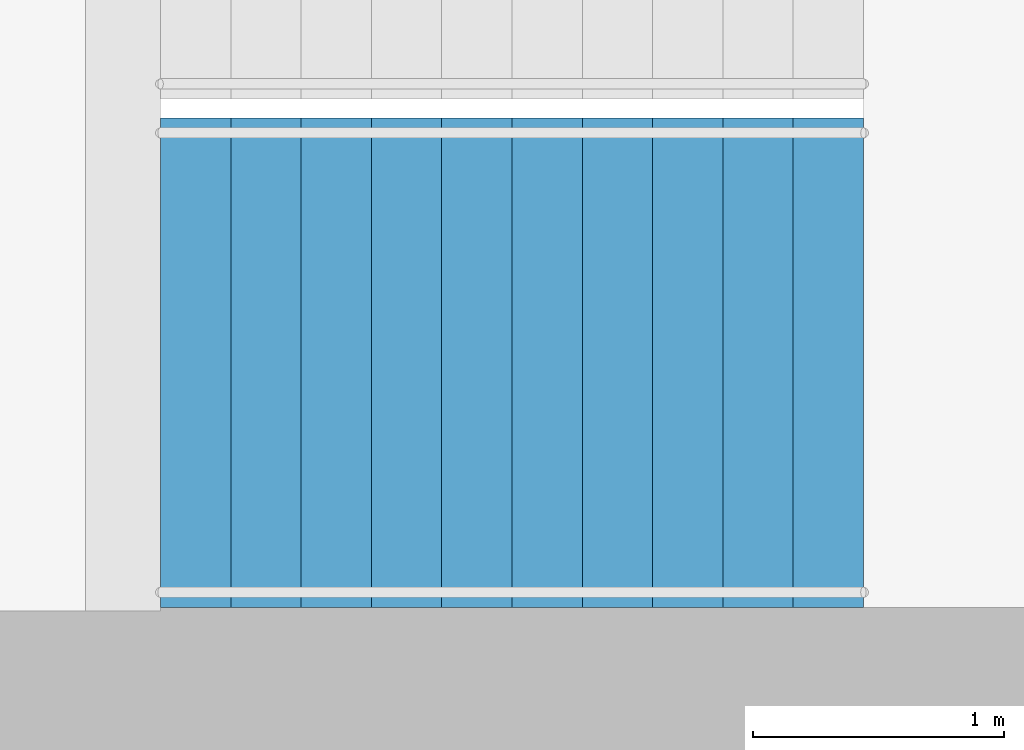
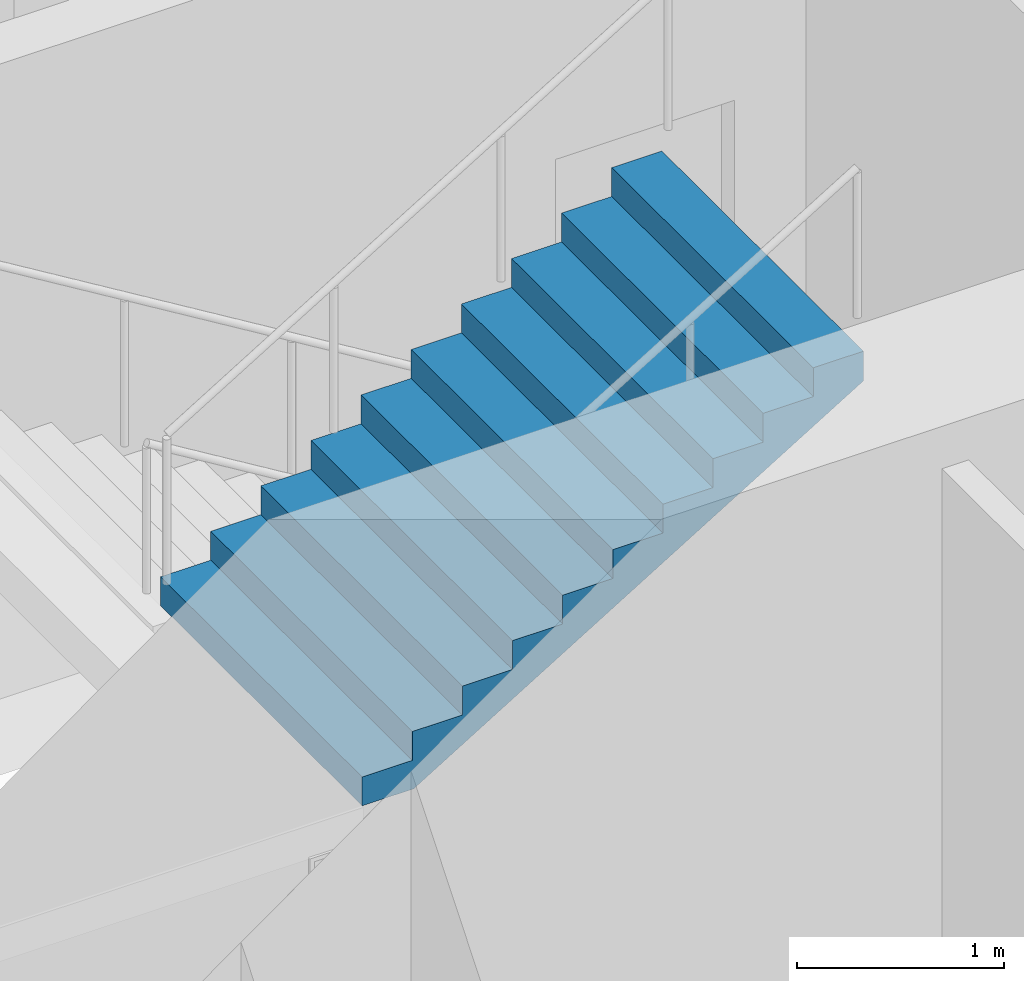
# One storey, part 22 of 25: 1 stair flight, 1 element without a shape of its own.
"""IFC4 building model written with IfcOpenShell, lengths in metres."""

from ifc_helpers import new_model, si_unit, direction, frame, origin, place, context, subcontext, project, spatial, triangles, material, type_object, element, aggregate, save


model = new_model("IFC4")

# Units and contexts
model_context = context("Model", 3, precision=1e-05, world=origin(), true_north=direction((0.0, 1.0)))
body_context = subcontext(model_context, "Body", "Model", "MODEL_VIEW")
ifc_project = project(units=[si_unit("LENGTHUNIT", "METRE"), si_unit("AREAUNIT", "SQUARE_METRE"), si_unit("VOLUMEUNIT", "CUBIC_METRE"), si_unit("PLANEANGLEUNIT", "RADIAN"), si_unit("MASSUNIT", "GRAM", prefix="KILO")], contexts=[model_context])

# Site, building, storey
site_placement = place(None, origin())
site = spatial("IfcSite", under=ifc_project, at=site_placement, CompositionType="ELEMENT")
building_placement = place(site_placement, origin())
building = spatial("IfcBuilding", under=site, at=building_placement, Name="Orbita Commons", CompositionType="ELEMENT")
storey_placement = place(building_placement, frame((0.0, 0.0, 84.39990234375)))
storey = spatial("IfcBuildingStorey", under=building, at=storey_placement, Name="L20", CompositionType="ELEMENT", Elevation=84.39990234375)

# Stair, stair flight
ifc_material_1 = material(Name="Precast concrete C40/50", Category="concrete")
stair_type = type_object("IfcStairType", Name="Exit stair S2 2 flights 11 risers 170", PredefinedType="HALF_TURN_STAIR", material=ifc_material_1)
stair_placement = place(storey_placement, origin())
stair = element("IfcStair", 1, at=stair_placement, inside=storey, type_object=stair_type, Name="Exit stair S2 L20", PredefinedType="HALF_TURN_STAIR")
ifc_material_2 = material(Name="Precast concrete C40/50", Category="concrete")
stair_flight_type = type_object("IfcStairFlightType", Name="Stair flight 11 risers 170 x 280", PredefinedType="STRAIGHT", material=ifc_material_2)
stair_flight_placement = place(storey_placement, frame((60.75, 27.25, 1.875), z_axis=(0.0, 0.0, 1.0), x_axis=(1.0, 0.0, 0.0)))
stair_flight = element("IfcStairFlight", 2, at=stair_flight_placement, type_object=stair_flight_type, Name="S2 flight 2", NumberOfRisers=11, NumberOfTreads=10, PredefinedType="STRAIGHT", RiserHeight=0.170454545, TreadLength=0.28, context=body_context, shape_type="Tessellation", body=[
    triangles([(0.0, 0.974976, 0.0), (0.0, 0.974976, 0.021307), (0.0, 0.81248, 0.021307), (0.0, 0.81248, 0.0), (0.0, 0.649984, 0.021307), (0.0, 0.649984, 0.0), (0.0, 0.487488, 0.021307), (0.0, 0.487488, 0.0), (0.0, 0.324992, 0.021307), (0.0, 0.324992, 0.0), (0.0, 0.162496, 0.021307), (0.0, 0.162496, 0.0), (0.0, 0.0, 0.021307), (0.0, 0.0, 0.0), (0.0, -0.162496, 0.021307), (0.0, -0.162496, 0.0), (0.0, -0.324992, 0.021307), (0.0, -0.324992, 0.0), (0.0, -0.487488, 0.021307), (0.0, -0.487488, 0.0), (0.0, -0.649984, 0.021307), (0.0, -0.649984, 0.0), (0.0, -0.81248, 0.021307), (0.0, -0.81248, 0.0), (0.0, -0.974976, 0.021307), (0.0, -0.974976, 0.0), (0.0, 0.974976, 0.042614), (0.0, 0.81248, 0.042614), (0.0, 0.649984, 0.042614), (0.0, 0.487488, 0.042614), (0.0, 0.324992, 0.042614), (0.0, 0.162496, 0.042614), (0.0, 0.0, 0.042614), (0.0, -0.162496, 0.042614), (0.0, -0.324992, 0.042614), (0.0, -0.487488, 0.042614), (0.0, -0.649984, 0.042614), (0.0, -0.81248, 0.042614), (0.0, -0.974976, 0.042614), (0.0, 0.974976, 0.06392), (0.0, 0.81248, 0.06392), (0.0, 0.649984, 0.06392), (0.0, 0.487488, 0.06392), (0.0, 0.324992, 0.06392), (0.0, 0.162496, 0.06392), (0.0, 0.0, 0.06392), (0.0, -0.162496, 0.06392), (0.0, -0.324992, 0.06392), (0.0, -0.487488, 0.06392), (0.0, -0.649984, 0.06392), (0.0, -0.81248, 0.06392), (0.0, -0.974976, 0.06392), (0.0, 0.974976, 0.085227), (0.0, 0.81248, 0.085227), (0.0, 0.649984, 0.085227), (0.0, 0.487488, 0.085227), (0.0, 0.324992, 0.085227), (0.0, 0.162496, 0.085227), (0.0, 0.0, 0.085227), (0.0, -0.162496, 0.085227), (0.0, -0.324992, 0.085227), (0.0, -0.487488, 0.085227), (0.0, -0.649984, 0.085227), (0.0, -0.81248, 0.085227), (0.0, -0.974976, 0.085227), (0.0, 0.974976, 0.106534), (0.0, 0.81248, 0.106534), (0.0, 0.649984, 0.106534), (0.0, 0.487488, 0.106534), (0.0, 0.324992, 0.106534), (0.0, 0.162496, 0.106534), (0.0, 0.0, 0.106534), (0.0, -0.162496, 0.106534), (0.0, -0.324992, 0.106534), (0.0, -0.487488, 0.106534), (0.0, -0.649984, 0.106534), (0.0, -0.81248, 0.106534), (0.0, -0.974976, 0.106534), (0.0, 0.974976, 0.127841), (0.0, 0.81248, 0.127841), (0.0, 0.649984, 0.127841), (0.0, 0.487488, 0.127841), (0.0, 0.324992, 0.127841), (0.0, 0.162496, 0.127841), (0.0, 0.0, 0.127841), (0.0, -0.162496, 0.127841), (0.0, -0.324992, 0.127841), (0.0, -0.487488, 0.127841), (0.0, -0.649984, 0.127841), (0.0, -0.81248, 0.127841), (0.0, -0.974976, 0.127841), (0.0, 0.974976, 0.149148), (0.0, 0.81248, 0.149148), (0.0, 0.649984, 0.149148), (0.0, 0.487488, 0.149148), (0.0, 0.324992, 0.149148), (0.0, 0.162496, 0.149148), (0.0, 0.0, 0.149148), (0.0, -0.162496, 0.149148), (0.0, -0.324992, 0.149148), (0.0, -0.487488, 0.149148), (0.0, -0.649984, 0.149148), (0.0, -0.81248, 0.149148), (0.0, -0.974976, 0.149148), (0.0, 0.974976, 0.170455), (0.0, 0.81248, 0.170455), (0.0, 0.649984, 0.170455), (0.0, 0.487488, 0.170455), (0.0, 0.324992, 0.170455), (0.0, 0.162496, 0.170455), (0.0, 0.0, 0.170455), (0.0, -0.162496, 0.170455), (0.0, -0.324992, 0.170455), (0.0, -0.487488, 0.170455), (0.0, -0.649984, 0.170455), (0.0, -0.81248, 0.170455), (0.0, -0.974976, 0.170455), (0.28, 0.974976, 0.170455), (0.28, 0.81248, 0.170455), (0.28, 0.649984, 0.170455), (0.28, 0.487488, 0.170455), (0.28, 0.324992, 0.170455), (0.28, 0.162496, 0.170455), (0.28, 0.0, 0.170455), (0.28, -0.162496, 0.170455), (0.28, -0.324992, 0.170455), (0.28, -0.487488, 0.170455), (0.28, -0.649984, 0.170455), (0.28, -0.81248, 0.170455), (0.28, -0.974976, 0.170455), (0.28, 0.974976, 0.340909), (0.28, 0.81248, 0.340909), (0.28, 0.649984, 0.340909), (0.28, 0.487488, 0.340909), (0.28, 0.324992, 0.340909), (0.28, 0.162496, 0.340909), (0.28, 0.0, 0.340909), (0.28, -0.162496, 0.340909), (0.28, -0.324992, 0.340909), (0.28, -0.487488, 0.340909), (0.28, -0.649984, 0.340909), (0.28, -0.81248, 0.340909), (0.28, -0.974976, 0.340909), (0.56, 0.974976, 0.340909), (0.56, 0.81248, 0.340909), (0.56, 0.649984, 0.340909), (0.56, 0.487488, 0.340909), (0.56, 0.324992, 0.340909), (0.56, 0.162496, 0.340909), (0.56, 0.0, 0.340909), (0.56, -0.162496, 0.340909), (0.56, -0.324992, 0.340909), (0.56, -0.487488, 0.340909), (0.56, -0.649984, 0.340909), (0.56, -0.81248, 0.340909), (0.56, -0.974976, 0.340909), (0.56, 0.974976, 0.511364), (0.56, 0.81248, 0.511364), (0.56, 0.649984, 0.511364), (0.56, 0.487488, 0.511364), (0.56, 0.324992, 0.511364), (0.56, 0.162496, 0.511364), (0.56, 0.0, 0.511364), (0.56, -0.162496, 0.511364), (0.56, -0.324992, 0.511364), (0.56, -0.487488, 0.511364), (0.56, -0.649984, 0.511364), (0.56, -0.81248, 0.511364), (0.56, -0.974976, 0.511364), (0.84, 0.974976, 0.511364), (0.84, 0.81248, 0.511364), (0.84, 0.649984, 0.511364), (0.84, 0.487488, 0.511364), (0.84, 0.324992, 0.511364), (0.84, 0.162496, 0.511364), (0.84, 0.0, 0.511364), (0.84, -0.162496, 0.511364), (0.84, -0.324992, 0.511364), (0.84, -0.487488, 0.511364), (0.84, -0.649984, 0.511364), (0.84, -0.81248, 0.511364), (0.84, -0.974976, 0.511364), (0.84, 0.974976, 0.681818), (0.84, 0.81248, 0.681818), (0.84, 0.649984, 0.681818), (0.84, 0.487488, 0.681818), (0.84, 0.324992, 0.681818), (0.84, 0.162496, 0.681818), (0.84, 0.0, 0.681818), (0.84, -0.162496, 0.681818), (0.84, -0.324992, 0.681818), (0.84, -0.487488, 0.681818), (0.84, -0.649984, 0.681818), (0.84, -0.81248, 0.681818), (0.84, -0.974976, 0.681818), (1.12, 0.974976, 0.681818), (1.12, 0.81248, 0.681818), (1.12, 0.649984, 0.681818), (1.12, 0.487488, 0.681818), (1.12, 0.324992, 0.681818), (1.12, 0.162496, 0.681818), (1.12, 0.0, 0.681818), (1.12, -0.162496, 0.681818), (1.12, -0.324992, 0.681818), (1.12, -0.487488, 0.681818), (1.12, -0.649984, 0.681818), (1.12, -0.81248, 0.681818), (1.12, -0.974976, 0.681818), (1.12, 0.974976, 0.852273), (1.12, 0.81248, 0.852273), (1.12, 0.649984, 0.852273), (1.12, 0.487488, 0.852273), (1.12, 0.324992, 0.852273), (1.12, 0.162496, 0.852273), (1.12, 0.0, 0.852273), (1.12, -0.162496, 0.852273), (1.12, -0.324992, 0.852273), (1.12, -0.487488, 0.852273), (1.12, -0.649984, 0.852273), (1.12, -0.81248, 0.852273), (1.12, -0.974976, 0.852273), (1.4, 0.974976, 0.852273), (1.4, 0.81248, 0.852273), (1.4, 0.649984, 0.852273), (1.4, 0.487488, 0.852273), (1.4, 0.324992, 0.852273), (1.4, 0.162496, 0.852273), (1.4, 0.0, 0.852273), (1.4, -0.162496, 0.852273), (1.4, -0.324992, 0.852273), (1.4, -0.487488, 0.852273), (1.4, -0.649984, 0.852273), (1.4, -0.81248, 0.852273), (1.4, -0.974976, 0.852273), (1.4, 0.974976, 1.022727), (1.4, 0.81248, 1.022727), (1.4, 0.649984, 1.022727), (1.4, 0.487488, 1.022727), (1.4, 0.324992, 1.022727), (1.4, 0.162496, 1.022727), (1.4, 0.0, 1.022727), (1.4, -0.162496, 1.022727), (1.4, -0.324992, 1.022727), (1.4, -0.487488, 1.022727), (1.4, -0.649984, 1.022727), (1.4, -0.81248, 1.022727), (1.4, -0.974976, 1.022727), (1.68, 0.974976, 1.022727), (1.68, 0.81248, 1.022727), (1.68, 0.649984, 1.022727), (1.68, 0.487488, 1.022727), (1.68, 0.324992, 1.022727), (1.68, 0.162496, 1.022727), (1.68, 0.0, 1.022727), (1.68, -0.162496, 1.022727), (1.68, -0.324992, 1.022727), (1.68, -0.487488, 1.022727), (1.68, -0.649984, 1.022727), (1.68, -0.81248, 1.022727), (1.68, -0.974976, 1.022727), (1.68, 0.974976, 1.193182), (1.68, 0.81248, 1.193182), (1.68, 0.649984, 1.193182), (1.68, 0.487488, 1.193182), (1.68, 0.324992, 1.193182), (1.68, 0.162496, 1.193182), (1.68, 0.0, 1.193182), (1.68, -0.162496, 1.193182), (1.68, -0.324992, 1.193182), (1.68, -0.487488, 1.193182), (1.68, -0.649984, 1.193182), (1.68, -0.81248, 1.193182), (1.68, -0.974976, 1.193182), (1.96, 0.974976, 1.193182), (1.96, 0.81248, 1.193182), (1.96, 0.649984, 1.193182), (1.96, 0.487488, 1.193182), (1.96, 0.324992, 1.193182), (1.96, 0.162496, 1.193182), (1.96, 0.0, 1.193182), (1.96, -0.162496, 1.193182), (1.96, -0.324992, 1.193182), (1.96, -0.487488, 1.193182), (1.96, -0.649984, 1.193182), (1.96, -0.81248, 1.193182), (1.96, -0.974976, 1.193182), (1.96, 0.974976, 1.363636), (1.96, 0.81248, 1.363636), (1.96, 0.649984, 1.363636), (1.96, 0.487488, 1.363636), (1.96, 0.324992, 1.363636), (1.96, 0.162496, 1.363636), (1.96, 0.0, 1.363636), (1.96, -0.162496, 1.363636), (1.96, -0.324992, 1.363636), (1.96, -0.487488, 1.363636), (1.96, -0.649984, 1.363636), (1.96, -0.81248, 1.363636), (1.96, -0.974976, 1.363636), (2.24, 0.974976, 1.363636), (2.24, 0.81248, 1.363636), (2.24, 0.649984, 1.363636), (2.24, 0.487488, 1.363636), (2.24, 0.324992, 1.363636), (2.24, 0.162496, 1.363636), (2.24, 0.0, 1.363636), (2.24, -0.162496, 1.363636), (2.24, -0.324992, 1.363636), (2.24, -0.487488, 1.363636), (2.24, -0.649984, 1.363636), (2.24, -0.81248, 1.363636), (2.24, -0.974976, 1.363636), (2.24, 0.974976, 1.534091), (2.24, 0.81248, 1.534091), (2.24, 0.649984, 1.534091), (2.24, 0.487488, 1.534091), (2.24, 0.324992, 1.534091), (2.24, 0.162496, 1.534091), (2.24, 0.0, 1.534091), (2.24, -0.162496, 1.534091), (2.24, -0.324992, 1.534091), (2.24, -0.487488, 1.534091), (2.24, -0.649984, 1.534091), (2.24, -0.81248, 1.534091), (2.24, -0.974976, 1.534091), (2.52, 0.974976, 1.534091), (2.52, 0.81248, 1.534091), (2.52, 0.649984, 1.534091), (2.52, 0.487488, 1.534091), (2.52, 0.324992, 1.534091), (2.52, 0.162496, 1.534091), (2.52, 0.0, 1.534091), (2.52, -0.162496, 1.534091), (2.52, -0.324992, 1.534091), (2.52, -0.487488, 1.534091), (2.52, -0.649984, 1.534091), (2.52, -0.81248, 1.534091), (2.52, -0.974976, 1.534091), (2.52, 0.974976, 1.704545), (2.52, 0.81248, 1.704545), (2.52, 0.649984, 1.704545), (2.52, 0.487488, 1.704545), (2.52, 0.324992, 1.704545), (2.52, 0.162496, 1.704545), (2.52, 0.0, 1.704545), (2.52, -0.162496, 1.704545), (2.52, -0.324992, 1.704545), (2.52, -0.487488, 1.704545), (2.52, -0.649984, 1.704545), (2.52, -0.81248, 1.704545), (2.52, -0.974976, 1.704545), (2.8, 0.974976, 1.704545), (2.8, 0.81248, 1.704545), (2.8, 0.649984, 1.704545), (2.8, 0.487488, 1.704545), (2.8, 0.324992, 1.704545), (2.8, 0.162496, 1.704545), (2.8, 0.0, 1.704545), (2.8, -0.162496, 1.704545), (2.8, -0.324992, 1.704545), (2.8, -0.487488, 1.704545), (2.8, -0.649984, 1.704545), (2.8, -0.81248, 1.704545), (2.8, -0.974976, 1.704545), (2.8, 0.974976, 1.682609), (2.8, 0.81248, 1.682609), (2.8, 0.649984, 1.682609), (2.8, 0.487488, 1.682609), (2.8, 0.324992, 1.682609), (2.8, 0.162496, 1.682609), (2.8, 0.0, 1.682609), (2.8, -0.162496, 1.682609), (2.8, -0.324992, 1.682609), (2.8, -0.487488, 1.682609), (2.8, -0.649984, 1.682609), (2.8, -0.81248, 1.682609), (2.8, -0.974976, 1.682609), (2.8, 0.974976, 1.660672), (2.8, 0.81248, 1.660672), (2.8, 0.649984, 1.660672), (2.8, 0.487488, 1.660672), (2.8, 0.324992, 1.660672), (2.8, 0.162496, 1.660672), (2.8, 0.0, 1.660672), (2.8, -0.162496, 1.660672), (2.8, -0.324992, 1.660672), (2.8, -0.487488, 1.660672), (2.8, -0.649984, 1.660672), (2.8, -0.81248, 1.660672), (2.8, -0.974976, 1.660672), (2.8, 0.974976, 1.638735), (2.8, 0.81248, 1.638735), (2.8, 0.649984, 1.638735), (2.8, 0.487488, 1.638735), (2.8, 0.324992, 1.638735), (2.8, 0.162496, 1.638735), (2.8, 0.0, 1.638735), (2.8, -0.162496, 1.638735), (2.8, -0.324992, 1.638735), (2.8, -0.487488, 1.638735), (2.8, -0.649984, 1.638735), (2.8, -0.81248, 1.638735), (2.8, -0.974976, 1.638735), (2.8, 0.974976, 1.616798), (2.8, 0.81248, 1.616798), (2.8, 0.649984, 1.616798), (2.8, 0.487488, 1.616798), (2.8, 0.324992, 1.616798), (2.8, 0.162496, 1.616798), (2.8, 0.0, 1.616798), (2.8, -0.162496, 1.616798), (2.8, -0.324992, 1.616798), (2.8, -0.487488, 1.616798), (2.8, -0.649984, 1.616798), (2.8, -0.81248, 1.616798), (2.8, -0.974976, 1.616798), (2.8, 0.974976, 1.594861), (2.8, 0.81248, 1.594861), (2.8, 0.649984, 1.594861), (2.8, 0.487488, 1.594861), (2.8, 0.324992, 1.594861), (2.8, 0.162496, 1.594861), (2.8, 0.0, 1.594861), (2.8, -0.162496, 1.594861), (2.8, -0.324992, 1.594861), (2.8, -0.487488, 1.594861), (2.8, -0.649984, 1.594861), (2.8, -0.81248, 1.594861), (2.8, -0.974976, 1.594861), (2.8, 0.974976, 1.572925), (2.8, 0.81248, 1.572925), (2.8, 0.649984, 1.572925), (2.8, 0.487488, 1.572925), (2.8, 0.324992, 1.572925), (2.8, 0.162496, 1.572925), (2.8, 0.0, 1.572925), (2.8, -0.162496, 1.572925), (2.8, -0.324992, 1.572925), (2.8, -0.487488, 1.572925), (2.8, -0.649984, 1.572925), (2.8, -0.81248, 1.572925), (2.8, -0.974976, 1.572925), (2.8, 0.974976, 1.550988), (2.8, 0.81248, 1.550988), (2.8, 0.649984, 1.550988), (2.8, 0.487488, 1.550988), (2.8, 0.324992, 1.550988), (2.8, 0.162496, 1.550988), (2.8, 0.0, 1.550988), (2.8, -0.162496, 1.550988), (2.8, -0.324992, 1.550988), (2.8, -0.487488, 1.550988), (2.8, -0.649984, 1.550988), (2.8, -0.81248, 1.550988), (2.8, -0.974976, 1.550988), (2.8, 0.974976, 1.529051), (2.8, 0.81248, 1.529051), (2.8, 0.649984, 1.529051), (2.8, 0.487488, 1.529051), (2.8, 0.324992, 1.529051), (2.8, 0.162496, 1.529051), (2.8, 0.0, 1.529051), (2.8, -0.162496, 1.529051), (2.8, -0.324992, 1.529051), (2.8, -0.487488, 1.529051), (2.8, -0.649984, 1.529051), (2.8, -0.81248, 1.529051), (2.8, -0.974976, 1.529051), (0.288279, 0.974976, 0.0), (0.288279, 0.81248, 0.0), (0.288279, 0.649984, 0.0), (0.288279, 0.487488, 0.0), (0.288279, 0.324992, 0.0), (0.288279, 0.162496, 0.0), (0.288279, 0.0, 0.0), (0.288279, -0.162496, 0.0), (0.288279, -0.324992, 0.0), (0.288279, -0.487488, 0.0), (0.288279, -0.649984, 0.0), (0.288279, -0.81248, 0.0), (0.288279, -0.974976, 0.0)], [[3, 2, 1], [4, 3, 1], [5, 3, 4], [6, 5, 4], [7, 5, 6], [8, 7, 6], [9, 7, 8], [10, 9, 8], [11, 9, 10], [12, 11, 10], [13, 11, 12], [14, 13, 12], [15, 13, 14], [16, 15, 14], [17, 15, 16], [18, 17, 16], [19, 17, 18], [20, 19, 18], [21, 19, 20], [22, 21, 20], [23, 21, 22], [24, 23, 22], [25, 23, 24], [26, 25, 24], [28, 27, 2], [3, 28, 2], [29, 28, 3], [5, 29, 3], [30, 29, 5], [7, 30, 5], [31, 30, 7], [9, 31, 7], [32, 31, 9], [11, 32, 9], [33, 32, 11], [13, 33, 11], [34, 33, 13], [15, 34, 13], [35, 34, 15], [17, 35, 15], [36, 35, 17], [19, 36, 17], [37, 36, 19], [21, 37, 19], [38, 37, 21], [23, 38, 21], [39, 38, 23], [25, 39, 23], [41, 40, 27], [28, 41, 27], [42, 41, 28], [29, 42, 28], [43, 42, 29], [30, 43, 29], [44, 43, 30], [31, 44, 30], [45, 44, 31], [32, 45, 31], [46, 45, 32], [33, 46, 32], [47, 46, 33], [34, 47, 33], [48, 47, 34], [35, 48, 34], [49, 48, 35], [36, 49, 35], [50, 49, 36], [37, 50, 36], [51, 50, 37], [38, 51, 37], [52, 51, 38], [39, 52, 38], [54, 53, 40], [41, 54, 40], [55, 54, 41], [42, 55, 41], [56, 55, 42], [43, 56, 42], [57, 56, 43], [44, 57, 43], [58, 57, 44], [45, 58, 44], [59, 58, 45], [46, 59, 45], [60, 59, 46], [47, 60, 46], [61, 60, 47], [48, 61, 47], [62, 61, 48], [49, 62, 48], [63, 62, 49], [50, 63, 49], [64, 63, 50], [51, 64, 50], [65, 64, 51], [52, 65, 51], [67, 66, 53], [54, 67, 53], [68, 67, 54], [55, 68, 54], [69, 68, 55], [56, 69, 55], [70, 69, 56], [57, 70, 56], [71, 70, 57], [58, 71, 57], [72, 71, 58], [59, 72, 58], [73, 72, 59], [60, 73, 59], [74, 73, 60], [61, 74, 60], [75, 74, 61], [62, 75, 61], [76, 75, 62], [63, 76, 62], [77, 76, 63], [64, 77, 63], [78, 77, 64], [65, 78, 64], [80, 79, 66], [67, 80, 66], [81, 80, 67], [68, 81, 67], [82, 81, 68], [69, 82, 68], [83, 82, 69], [70, 83, 69], [84, 83, 70], [71, 84, 70], [85, 84, 71], [72, 85, 71], [86, 85, 72], [73, 86, 72], [87, 86, 73], [74, 87, 73], [88, 87, 74], [75, 88, 74], [89, 88, 75], [76, 89, 75], [90, 89, 76], [77, 90, 76], [91, 90, 77], [78, 91, 77], [93, 92, 79], [80, 93, 79], [94, 93, 80], [81, 94, 80], [95, 94, 81], [82, 95, 81], [96, 95, 82], [83, 96, 82], [97, 96, 83], [84, 97, 83], [98, 97, 84], [85, 98, 84], [99, 98, 85], [86, 99, 85], [100, 99, 86], [87, 100, 86], [101, 100, 87], [88, 101, 87], [102, 101, 88], [89, 102, 88], [103, 102, 89], [90, 103, 89], [104, 103, 90], [91, 104, 90], [106, 105, 92], [93, 106, 92], [107, 106, 93], [94, 107, 93], [108, 107, 94], [95, 108, 94], [109, 108, 95], [96, 109, 95], [110, 109, 96], [97, 110, 96], [111, 110, 97], [98, 111, 97], [112, 111, 98], [99, 112, 98], [113, 112, 99], [100, 113, 99], [114, 113, 100], [101, 114, 100], [115, 114, 101], [102, 115, 101], [116, 115, 102], [103, 116, 102], [117, 116, 103], [104, 117, 103], [119, 118, 105], [106, 119, 105], [120, 119, 106], [107, 120, 106], [121, 120, 107], [108, 121, 107], [122, 121, 108], [109, 122, 108], [123, 122, 109], [110, 123, 109], [124, 123, 110], [111, 124, 110], [125, 124, 111], [112, 125, 111], [126, 125, 112], [113, 126, 112], [127, 126, 113], [114, 127, 113], [128, 127, 114], [115, 128, 114], [129, 128, 115], [116, 129, 115], [130, 129, 116], [117, 130, 116], [132, 131, 118], [119, 132, 118], [133, 132, 119], [120, 133, 119], [134, 133, 120], [121, 134, 120], [135, 134, 121], [122, 135, 121], [136, 135, 122], [123, 136, 122], [137, 136, 123], [124, 137, 123], [138, 137, 124], [125, 138, 124], [139, 138, 125], [126, 139, 125], [140, 139, 126], [127, 140, 126], [141, 140, 127], [128, 141, 127], [142, 141, 128], [129, 142, 128], [143, 142, 129], [130, 143, 129], [145, 144, 131], [132, 145, 131], [146, 145, 132], [133, 146, 132], [147, 146, 133], [134, 147, 133], [148, 147, 134], [135, 148, 134], [149, 148, 135], [136, 149, 135], [150, 149, 136], [137, 150, 136], [151, 150, 137], [138, 151, 137], [152, 151, 138], [139, 152, 138], [153, 152, 139], [140, 153, 139], [154, 153, 140], [141, 154, 140], [155, 154, 141], [142, 155, 141], [156, 155, 142], [143, 156, 142], [158, 157, 144], [145, 158, 144], [159, 158, 145], [146, 159, 145], [160, 159, 146], [147, 160, 146], [161, 160, 147], [148, 161, 147], [162, 161, 148], [149, 162, 148], [163, 162, 149], [150, 163, 149], [164, 163, 150], [151, 164, 150], [165, 164, 151], [152, 165, 151], [166, 165, 152], [153, 166, 152], [167, 166, 153], [154, 167, 153], [168, 167, 154], [155, 168, 154], [169, 168, 155], [156, 169, 155], [171, 170, 157], [158, 171, 157], [172, 171, 158], [159, 172, 158], [173, 172, 159], [160, 173, 159], [174, 173, 160], [161, 174, 160], [175, 174, 161], [162, 175, 161], [176, 175, 162], [163, 176, 162], [177, 176, 163], [164, 177, 163], [178, 177, 164], [165, 178, 164], [179, 178, 165], [166, 179, 165], [180, 179, 166], [167, 180, 166], [181, 180, 167], [168, 181, 167], [182, 181, 168], [169, 182, 168], [184, 183, 170], [171, 184, 170], [185, 184, 171], [172, 185, 171], [186, 185, 172], [173, 186, 172], [187, 186, 173], [174, 187, 173], [188, 187, 174], [175, 188, 174], [189, 188, 175], [176, 189, 175], [190, 189, 176], [177, 190, 176], [191, 190, 177], [178, 191, 177], [192, 191, 178], [179, 192, 178], [193, 192, 179], [180, 193, 179], [194, 193, 180], [181, 194, 180], [195, 194, 181], [182, 195, 181], [197, 196, 183], [184, 197, 183], [198, 197, 184], [185, 198, 184], [199, 198, 185], [186, 199, 185], [200, 199, 186], [187, 200, 186], [201, 200, 187], [188, 201, 187], [202, 201, 188], [189, 202, 188], [203, 202, 189], [190, 203, 189], [204, 203, 190], [191, 204, 190], [205, 204, 191], [192, 205, 191], [206, 205, 192], [193, 206, 192], [207, 206, 193], [194, 207, 193], [208, 207, 194], [195, 208, 194], [210, 209, 196], [197, 210, 196], [211, 210, 197], [198, 211, 197], [212, 211, 198], [199, 212, 198], [213, 212, 199], [200, 213, 199], [214, 213, 200], [201, 214, 200], [215, 214, 201], [202, 215, 201], [216, 215, 202], [203, 216, 202], [217, 216, 203], [204, 217, 203], [218, 217, 204], [205, 218, 204], [219, 218, 205], [206, 219, 205], [220, 219, 206], [207, 220, 206], [221, 220, 207], [208, 221, 207], [223, 222, 209], [210, 223, 209], [224, 223, 210], [211, 224, 210], [225, 224, 211], [212, 225, 211], [226, 225, 212], [213, 226, 212], [227, 226, 213], [214, 227, 213], [228, 227, 214], [215, 228, 214], [229, 228, 215], [216, 229, 215], [230, 229, 216], [217, 230, 216], [231, 230, 217], [218, 231, 217], [232, 231, 218], [219, 232, 218], [233, 232, 219], [220, 233, 219], [234, 233, 220], [221, 234, 220], [236, 235, 222], [223, 236, 222], [237, 236, 223], [224, 237, 223], [238, 237, 224], [225, 238, 224], [239, 238, 225], [226, 239, 225], [240, 239, 226], [227, 240, 226], [241, 240, 227], [228, 241, 227], [242, 241, 228], [229, 242, 228], [243, 242, 229], [230, 243, 229], [244, 243, 230], [231, 244, 230], [245, 244, 231], [232, 245, 231], [246, 245, 232], [233, 246, 232], [247, 246, 233], [234, 247, 233], [249, 248, 235], [236, 249, 235], [250, 249, 236], [237, 250, 236], [251, 250, 237], [238, 251, 237], [252, 251, 238], [239, 252, 238], [253, 252, 239], [240, 253, 239], [254, 253, 240], [241, 254, 240], [255, 254, 241], [242, 255, 241], [256, 255, 242], [243, 256, 242], [257, 256, 243], [244, 257, 243], [258, 257, 244], [245, 258, 244], [259, 258, 245], [246, 259, 245], [260, 259, 246], [247, 260, 246], [262, 261, 248], [249, 262, 248], [263, 262, 249], [250, 263, 249], [264, 263, 250], [251, 264, 250], [265, 264, 251], [252, 265, 251], [266, 265, 252], [253, 266, 252], [267, 266, 253], [254, 267, 253], [268, 267, 254], [255, 268, 254], [269, 268, 255], [256, 269, 255], [270, 269, 256], [257, 270, 256], [271, 270, 257], [258, 271, 257], [272, 271, 258], [259, 272, 258], [273, 272, 259], [260, 273, 259], [275, 274, 261], [262, 275, 261], [276, 275, 262], [263, 276, 262], [277, 276, 263], [264, 277, 263], [278, 277, 264], [265, 278, 264], [279, 278, 265], [266, 279, 265], [280, 279, 266], [267, 280, 266], [281, 280, 267], [268, 281, 267], [282, 281, 268], [269, 282, 268], [283, 282, 269], [270, 283, 269], [284, 283, 270], [271, 284, 270], [285, 284, 271], [272, 285, 271], [286, 285, 272], [273, 286, 272], [288, 287, 274], [275, 288, 274], [289, 288, 275], [276, 289, 275], [290, 289, 276], [277, 290, 276], [291, 290, 277], [278, 291, 277], [292, 291, 278], [279, 292, 278], [293, 292, 279], [280, 293, 279], [294, 293, 280], [281, 294, 280], [295, 294, 281], [282, 295, 281], [296, 295, 282], [283, 296, 282], [297, 296, 283], [284, 297, 283], [298, 297, 284], [285, 298, 284], [299, 298, 285], [286, 299, 285], [301, 300, 287], [288, 301, 287], [302, 301, 288], [289, 302, 288], [303, 302, 289], [290, 303, 289], [304, 303, 290], [291, 304, 290], [305, 304, 291], [292, 305, 291], [306, 305, 292], [293, 306, 292], [307, 306, 293], [294, 307, 293], [308, 307, 294], [295, 308, 294], [309, 308, 295], [296, 309, 295], [310, 309, 296], [297, 310, 296], [311, 310, 297], [298, 311, 297], [312, 311, 298], [299, 312, 298], [314, 313, 300], [301, 314, 300], [315, 314, 301], [302, 315, 301], [316, 315, 302], [303, 316, 302], [317, 316, 303], [304, 317, 303], [318, 317, 304], [305, 318, 304], [319, 318, 305], [306, 319, 305], [320, 319, 306], [307, 320, 306], [321, 320, 307], [308, 321, 307], [322, 321, 308], [309, 322, 308], [323, 322, 309], [310, 323, 309], [324, 323, 310], [311, 324, 310], [325, 324, 311], [312, 325, 311], [327, 326, 313], [314, 327, 313], [328, 327, 314], [315, 328, 314], [329, 328, 315], [316, 329, 315], [330, 329, 316], [317, 330, 316], [331, 330, 317], [318, 331, 317], [332, 331, 318], [319, 332, 318], [333, 332, 319], [320, 333, 319], [334, 333, 320], [321, 334, 320], [335, 334, 321], [322, 335, 321], [336, 335, 322], [323, 336, 322], [337, 336, 323], [324, 337, 323], [338, 337, 324], [325, 338, 324], [340, 339, 326], [327, 340, 326], [341, 340, 327], [328, 341, 327], [342, 341, 328], [329, 342, 328], [343, 342, 329], [330, 343, 329], [344, 343, 330], [331, 344, 330], [345, 344, 331], [332, 345, 331], [346, 345, 332], [333, 346, 332], [347, 346, 333], [334, 347, 333], [348, 347, 334], [335, 348, 334], [349, 348, 335], [336, 349, 335], [350, 349, 336], [337, 350, 336], [351, 350, 337], [338, 351, 337], [353, 352, 339], [340, 353, 339], [354, 353, 340], [341, 354, 340], [355, 354, 341], [342, 355, 341], [356, 355, 342], [343, 356, 342], [357, 356, 343], [344, 357, 343], [358, 357, 344], [345, 358, 344], [359, 358, 345], [346, 359, 345], [360, 359, 346], [347, 360, 346], [361, 360, 347], [348, 361, 347], [362, 361, 348], [349, 362, 348], [363, 362, 349], [350, 363, 349], [364, 363, 350], [351, 364, 350], [366, 365, 352], [353, 366, 352], [367, 366, 353], [354, 367, 353], [368, 367, 354], [355, 368, 354], [369, 368, 355], [356, 369, 355], [370, 369, 356], [357, 370, 356], [371, 370, 357], [358, 371, 357], [372, 371, 358], [359, 372, 358], [373, 372, 359], [360, 373, 359], [374, 373, 360], [361, 374, 360], [375, 374, 361], [362, 375, 361], [376, 375, 362], [363, 376, 362], [377, 376, 363], [364, 377, 363], [379, 378, 365], [366, 379, 365], [380, 379, 366], [367, 380, 366], [381, 380, 367], [368, 381, 367], [382, 381, 368], [369, 382, 368], [383, 382, 369], [370, 383, 369], [384, 383, 370], [371, 384, 370], [385, 384, 371], [372, 385, 371], [386, 385, 372], [373, 386, 372], [387, 386, 373], [374, 387, 373], [388, 387, 374], [375, 388, 374], [389, 388, 375], [376, 389, 375], [390, 389, 376], [377, 390, 376], [392, 391, 378], [379, 392, 378], [393, 392, 379], [380, 393, 379], [394, 393, 380], [381, 394, 380], [395, 394, 381], [382, 395, 381], [396, 395, 382], [383, 396, 382], [397, 396, 383], [384, 397, 383], [398, 397, 384], [385, 398, 384], [399, 398, 385], [386, 399, 385], [400, 399, 386], [387, 400, 386], [401, 400, 387], [388, 401, 387], [402, 401, 388], [389, 402, 388], [403, 402, 389], [390, 403, 389], [405, 404, 391], [392, 405, 391], [406, 405, 392], [393, 406, 392], [407, 406, 393], [394, 407, 393], [408, 407, 394], [395, 408, 394], [409, 408, 395], [396, 409, 395], [410, 409, 396], [397, 410, 396], [411, 410, 397], [398, 411, 397], [412, 411, 398], [399, 412, 398], [413, 412, 399], [400, 413, 399], [414, 413, 400], [401, 414, 400], [415, 414, 401], [402, 415, 401], [416, 415, 402], [403, 416, 402], [418, 417, 404], [405, 418, 404], [419, 418, 405], [406, 419, 405], [420, 419, 406], [407, 420, 406], [421, 420, 407], [408, 421, 407], [422, 421, 408], [409, 422, 408], [423, 422, 409], [410, 423, 409], [424, 423, 410], [411, 424, 410], [425, 424, 411], [412, 425, 411], [426, 425, 412], [413, 426, 412], [427, 426, 413], [414, 427, 413], [428, 427, 414], [415, 428, 414], [429, 428, 415], [416, 429, 415], [431, 430, 417], [418, 431, 417], [432, 431, 418], [419, 432, 418], [433, 432, 419], [420, 433, 419], [434, 433, 420], [421, 434, 420], [435, 434, 421], [422, 435, 421], [436, 435, 422], [423, 436, 422], [437, 436, 423], [424, 437, 423], [438, 437, 424], [425, 438, 424], [439, 438, 425], [426, 439, 425], [440, 439, 426], [427, 440, 426], [441, 440, 427], [428, 441, 427], [442, 441, 428], [429, 442, 428], [444, 443, 430], [431, 444, 430], [445, 444, 431], [432, 445, 431], [446, 445, 432], [433, 446, 432], [447, 446, 433], [434, 447, 433], [448, 447, 434], [435, 448, 434], [449, 448, 435], [436, 449, 435], [450, 449, 436], [437, 450, 436], [451, 450, 437], [438, 451, 437], [452, 451, 438], [439, 452, 438], [453, 452, 439], [440, 453, 439], [454, 453, 440], [441, 454, 440], [455, 454, 441], [442, 455, 441], [457, 456, 443], [444, 457, 443], [458, 457, 444], [445, 458, 444], [459, 458, 445], [446, 459, 445], [460, 459, 446], [447, 460, 446], [461, 460, 447], [448, 461, 447], [462, 461, 448], [449, 462, 448], [463, 462, 449], [450, 463, 449], [464, 463, 450], [451, 464, 450], [465, 464, 451], [452, 465, 451], [466, 465, 452], [453, 466, 452], [467, 466, 453], [454, 467, 453], [468, 467, 454], [455, 468, 454], [470, 469, 456], [457, 470, 456], [471, 470, 457], [458, 471, 457], [472, 471, 458], [459, 472, 458], [473, 472, 459], [460, 473, 459], [474, 473, 460], [461, 474, 460], [475, 474, 461], [462, 475, 461], [476, 475, 462], [463, 476, 462], [477, 476, 463], [464, 477, 463], [478, 477, 464], [465, 478, 464], [479, 478, 465], [466, 479, 465], [480, 479, 466], [467, 480, 466], [481, 480, 467], [468, 481, 467], [4, 1, 469], [470, 4, 469], [6, 4, 470], [471, 6, 470], [8, 6, 471], [472, 8, 471], [10, 8, 472], [473, 10, 472], [12, 10, 473], [474, 12, 473], [14, 12, 474], [475, 14, 474], [16, 14, 475], [476, 16, 475], [18, 16, 476], [477, 18, 476], [20, 18, 477], [478, 20, 477], [22, 20, 478], [479, 22, 478], [24, 22, 479], [480, 24, 479], [26, 24, 480], [481, 26, 480], [456, 469, 1], [26, 481, 468], [443, 456, 1], [26, 468, 455], [430, 443, 1], [26, 455, 442], [417, 430, 1], [26, 442, 429], [404, 417, 1], [26, 429, 416], [391, 404, 1], [26, 416, 403], [378, 391, 1], [26, 403, 390], [365, 378, 1], [26, 390, 377], [339, 352, 365], [377, 364, 351], [326, 339, 365], [377, 351, 338], [300, 313, 326], [338, 325, 312], [300, 326, 365], [377, 338, 312], [274, 287, 300], [312, 299, 286], [274, 300, 365], [377, 312, 286], [248, 261, 274], [286, 273, 260], [248, 274, 365], [377, 286, 260], [222, 235, 248], [260, 247, 234], [222, 248, 365], [377, 260, 234], [196, 209, 222], [234, 221, 208], [196, 222, 365], [377, 234, 208], [170, 183, 196], [208, 195, 182], [170, 196, 365], [377, 208, 182], [144, 157, 170], [182, 169, 156], [144, 170, 365], [377, 182, 156], [118, 131, 144], [156, 143, 130], [118, 144, 365], [377, 156, 130], [118, 365, 1], [26, 377, 130], [92, 105, 118], [130, 117, 104], [79, 92, 118], [130, 104, 91], [66, 79, 118], [130, 91, 78], [53, 66, 118], [130, 78, 65], [40, 53, 118], [130, 65, 52], [27, 40, 118], [130, 52, 39], [2, 27, 118], [130, 39, 25], [1, 2, 118], [130, 25, 26]], closed=True),
])
aggregate(stair, [stair_flight])

save(model, "model.ifc")
